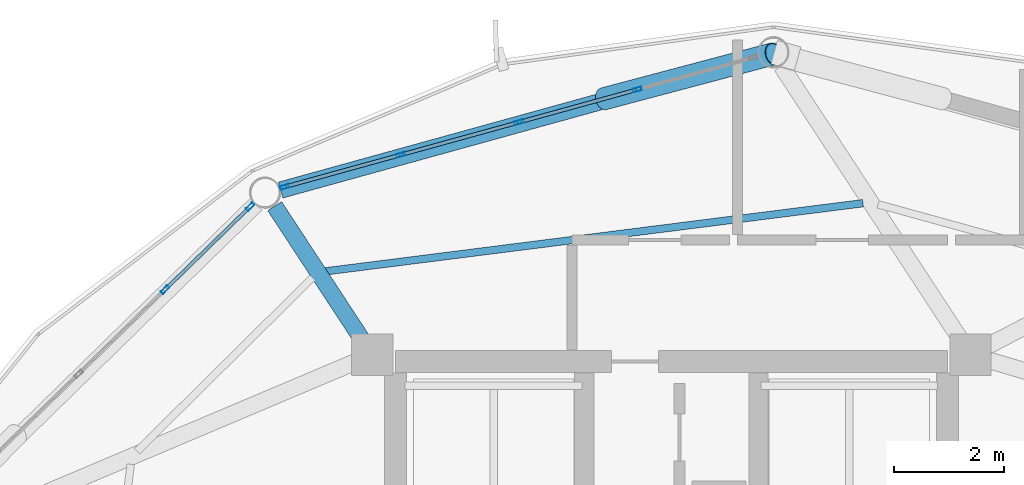
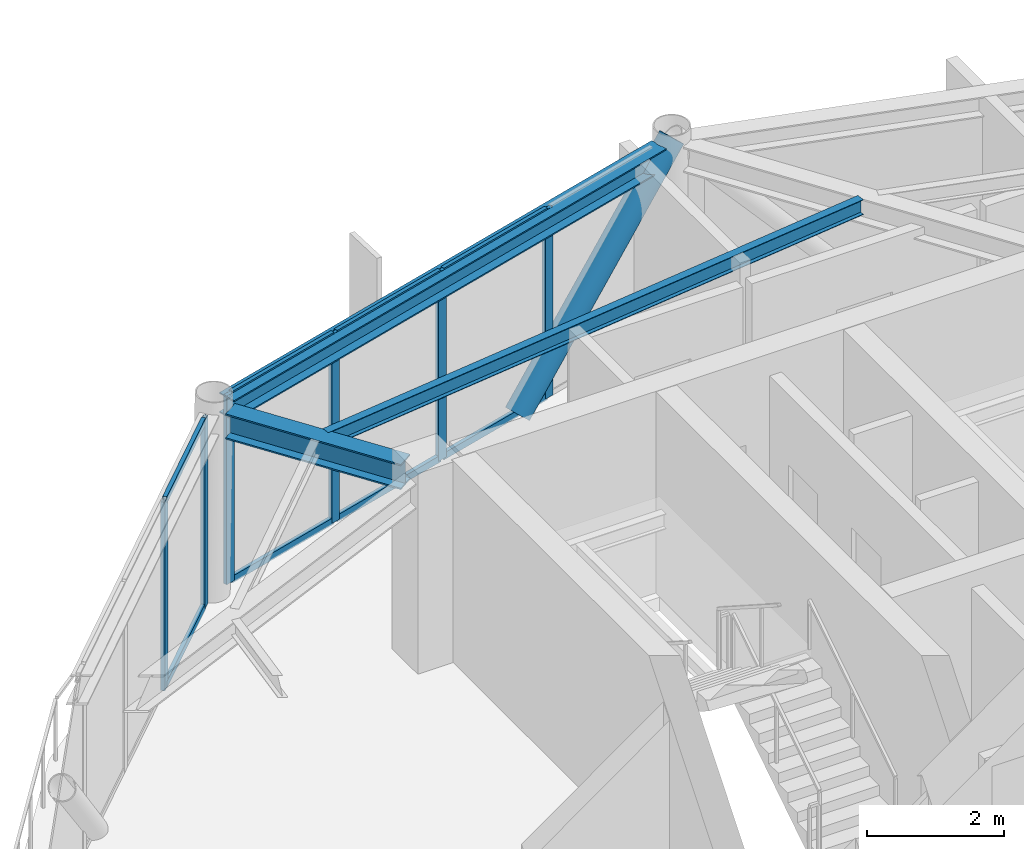
# One storey, part 18 of 27: 15 members, 3 beams, 2 elements without a shape of their own.
"""IFC4 building model written with IfcOpenShell, lengths in metres."""

from ifc_helpers import new_model, si_unit, direction, frame, origin, origin_2d, place, context, subcontext, project, spatial, hollow_rectangle, hollow_circle, i_section, extrude, material, layer, layer_set, material_profile, profile_set, type_object, element, aggregate, save


model = new_model("IFC4")

# Units and contexts
model_context = context("Model", 3, precision=1e-05, world=origin(), true_north=direction((0.0, 1.0)))
body_context = subcontext(model_context, "Body", "Model", "MODEL_VIEW")
ifc_project = project(units=[si_unit("LENGTHUNIT", "METRE"), si_unit("AREAUNIT", "SQUARE_METRE"), si_unit("VOLUMEUNIT", "CUBIC_METRE"), si_unit("PLANEANGLEUNIT", "RADIAN"), si_unit("MASSUNIT", "GRAM", prefix="KILO")], contexts=[model_context])

# Site, building, storey
site_placement = place(None, origin())
site = spatial("IfcSite", under=ifc_project, at=site_placement, CompositionType="ELEMENT")
building_placement = place(site_placement, origin())
building = spatial("IfcBuilding", under=site, at=building_placement, Name="Varnakorn Sky Granary", CompositionType="ELEMENT")
storey_placement = place(building_placement, frame((0.0, 0.0, 245.39990234375)))
storey = spatial("IfcBuildingStorey", under=building, at=storey_placement, Name="L62", CompositionType="ELEMENT", Elevation=245.39990234375)

# Beams
ifc_material_1 = material(Name="Steel S355JR", Category="steel")
ifc_material_profile_1 = material_profile(ifc_material_1, i_section(OverallWidth=0.300048828125, OverallDepth=0.449951171875, WebThickness=0.013916015625, FlangeThickness=0.02587890625, at=origin_2d()), Name="HE 450 B")
ifc_profile_set_1 = profile_set([ifc_material_profile_1], Name="Steel S355JR")
beam_type_1 = type_object("IfcBeamType", Name="BM-RAD-Z5", PredefinedType="BEAM", material=ifc_profile_set_1)
beam_1_placement = place(storey_placement, frame((-2.614501953125, 12.9169921875, 3.135009765625), z_axis=(-0.548096145495, 0.836415336596, 0.0), x_axis=(-0.836415336596, -0.548096145495, 0.0)))
element("IfcBeam", 1, at=beam_1_placement, inside=storey, type_object=beam_type_1, Name="Radial Floor Girder RG05 L62", PredefinedType="BEAM", context=body_context, shape_type="SweptSolid", body=[
    extrude(i_section(OverallWidth=0.300048828125, OverallDepth=0.449951171875, WebThickness=0.013916015625, FlangeThickness=0.02587890625, at=origin_2d()), origin(), (0.0, 0.0, 1.0), 2.865478515625),
])
ifc_material_profile_2 = material_profile(ifc_material_1, i_section(OverallWidth=0.135009765625, OverallDepth=0.27001953125, WebThickness=0.006591796875, FlangeThickness=0.01025390625, at=origin_2d()), Name="IPE 270")
ifc_profile_set_2 = profile_set([ifc_material_profile_2], Name="Steel S355JR")
beam_type_2 = type_object("IfcBeamType", Name="BM-SEC-Z5", PredefinedType="BEAM", material=ifc_profile_set_2)
beam_2_placement = place(storey_placement, frame((6.471435546875, 15.36669921875, 3.22509765625), z_axis=(-0.992058885512, -0.125774272712, 0.0), x_axis=(0.125774272712, -0.992058885512, 0.0)))
element("IfcBeam", 2, at=beam_2_placement, inside=storey, type_object=beam_type_2, Name="Secondary Floor Chord Beam MSB04 L62", PredefinedType="BEAM", context=body_context, shape_type="SweptSolid", body=[
    extrude(i_section(OverallWidth=0.135009765625, OverallDepth=0.27001953125, WebThickness=0.006591796875, FlangeThickness=0.01025390625, at=origin_2d()), origin(), (0.0, 0.0, 1.0), 9.810302734375),
])
ifc_material_profile_3 = material_profile(ifc_material_1, i_section(OverallWidth=0.300048828125, OverallDepth=0.360107421875, WebThickness=0.012451171875, FlangeThickness=0.0224609375, at=origin_2d()), Name="HE 360 B")
ifc_profile_set_3 = profile_set([ifc_material_profile_3], Name="Steel S355JR")
beam_type_3 = type_object("IfcBeamType", Name="BM-SPD-Z5", PredefinedType="SPANDREL", material=ifc_profile_set_3)
beam_3_placement = place(storey_placement, frame((4.59521484375, 18.00244140625, 3.18017578125), z_axis=(-0.963839156231, -0.266484672947, 0.0), x_axis=(0.266484672947, -0.963839156231, 0.0)))
element("IfcBeam", 3, at=beam_3_placement, inside=storey, type_object=beam_type_3, Name="Perimeter Spandrel Ring Beam RB04 L62", PredefinedType="SPANDREL", context=body_context, shape_type="SweptSolid", body=[
    extrude(i_section(OverallWidth=0.300048828125, OverallDepth=0.360107421875, WebThickness=0.012451171875, FlangeThickness=0.0224609375, at=origin_2d()), origin(), (0.0, 0.0, 1.0), 8.99560546875),
])

# Curtain wall, members
ifc_material_2 = material(Name="Anodised Bronze Aluminium Alloy 6063-T6", Category="aluminium")
ifc_layer = layer(ifc_material_2, 0.159912109375, Name="Anodised Bronze Aluminium Alloy 6063-T6")
ifc_layer_set = layer_set([ifc_layer], Name="Anodised Bronze Aluminium Alloy 6063-T6")
curtain_wall_type = type_object("IfcCurtainWallType", Name="CW-OFF-1", PredefinedType="USERDEFINED", material=ifc_layer_set)
curtain_wall_1_placement = place(storey_placement, origin())
curtain_wall_1 = element("IfcCurtainWall", 4, at=curtain_wall_1_placement, inside=storey, type_object=curtain_wall_type, Name="Unitised Curtain Wall CW6 CW-L62-B04", ObjectType="CURTAIN WALL", PredefinedType="USERDEFINED")
ifc_material_profile_4 = material_profile(ifc_material_2, hollow_rectangle(XDim=0.06494140625, YDim=0.159912109375, WallThickness=0.00341796875, at=origin_2d()), Name="ALU MULL 65x160")
ifc_profile_set_4 = profile_set([ifc_material_profile_4], Name="Anodised Bronze Aluminium Alloy 6063-T6")
member_type_1 = type_object("IfcMemberType", Name="CW-OFF-1-MULL", PredefinedType="MULLION", material=ifc_profile_set_4)
member_1_placement = place(storey_placement, frame((-4.00537109375, 15.662353515625, 0.0), z_axis=(0.0, 0.0, 1.0), x_axis=(-0.266021744228, 0.963967028273, 0.0)))
member_1 = element("IfcMember", 5, at=member_1_placement, type_object=member_type_1, Name="CW6 mullion 1", PredefinedType="MULLION", context=body_context, shape_type="SweptSolid", body=[
    extrude(hollow_rectangle(XDim=0.06494140625, YDim=0.159912109375, WallThickness=0.00341796875, at=origin_2d()), origin(), (0.0, 0.0, 1.0), 3.360107421875),
])
member_2_placement = place(storey_placement, frame((-1.896728515625, 16.244140625, 0.0), z_axis=(0.0, 0.0, 1.0), x_axis=(-0.266021744228, 0.963967028273, 0.0)))
member_2 = element("IfcMember", 6, at=member_2_placement, type_object=member_type_1, Name="CW6 mullion 2", PredefinedType="MULLION", context=body_context, shape_type="SweptSolid", body=[
    extrude(hollow_rectangle(XDim=0.06494140625, YDim=0.159912109375, WallThickness=0.00341796875, at=origin_2d()), origin(), (0.0, 0.0, 1.0), 3.360107421875),
])
member_3_placement = place(storey_placement, frame((0.242919921875, 16.834716796875, 0.0), z_axis=(0.0, 0.0, 1.0), x_axis=(-0.266021744228, 0.963967028273, 0.0)))
member_3 = element("IfcMember", 7, at=member_3_placement, type_object=member_type_1, Name="CW6 mullion 3", PredefinedType="MULLION", context=body_context, shape_type="SweptSolid", body=[
    extrude(hollow_rectangle(XDim=0.06494140625, YDim=0.159912109375, WallThickness=0.00341796875, at=origin_2d()), origin(), (0.0, 0.0, 1.0), 3.360107421875),
])
member_4_placement = place(storey_placement, frame((2.3828125, 17.42529296875, 0.0), z_axis=(0.0, 0.0, 1.0), x_axis=(-0.266021744228, 0.963967028273, 0.0)))
member_4 = element("IfcMember", 8, at=member_4_placement, type_object=member_type_1, Name="CW6 mullion 4", PredefinedType="MULLION", context=body_context, shape_type="SweptSolid", body=[
    extrude(hollow_rectangle(XDim=0.06494140625, YDim=0.159912109375, WallThickness=0.00341796875, at=origin_2d()), origin(), (0.0, 0.0, 1.0), 3.360107421875),
])

curtain_wall_2_placement = place(storey_placement, origin())
curtain_wall_2 = element("IfcCurtainWall", 9, at=curtain_wall_2_placement, inside=storey, type_object=curtain_wall_type, Name="Unitised Curtain Wall CW6 CW-L62-B05", ObjectType="CURTAIN WALL", PredefinedType="USERDEFINED")
member_5_placement = place(storey_placement, frame((-6.171875, 13.80029296875, 0.0), z_axis=(0.0, 0.0, 1.0), x_axis=(-0.698180615076, 0.715921663823, 0.0)))
member_5 = element("IfcMember", 10, at=member_5_placement, type_object=member_type_1, Name="CW6 mullion 4", PredefinedType="MULLION", context=body_context, shape_type="SweptSolid", body=[
    extrude(hollow_rectangle(XDim=0.06494140625, YDim=0.159912109375, WallThickness=0.00341796875, at=origin_2d()), origin(), (0.0, 0.0, 1.0), 3.360107421875),
])
member_6_placement = place(storey_placement, frame((-4.63037109375, 15.3037109375, 0.0), z_axis=(0.0, 0.0, 1.0), x_axis=(-0.698180615076, 0.715921663823, 0.0)))
member_6 = element("IfcMember", 11, at=member_6_placement, type_object=member_type_1, Name="CW6 mullion 5", PredefinedType="MULLION", context=body_context, shape_type="SweptSolid", body=[
    extrude(hollow_rectangle(XDim=0.06494140625, YDim=0.159912109375, WallThickness=0.00341796875, at=origin_2d()), origin(), (0.0, 0.0, 1.0), 3.360107421875),
])

# Member
ifc_material_profile_5 = material_profile(ifc_material_2, hollow_rectangle(XDim=0.06494140625, YDim=0.1201171875, WallThickness=0.00341796875, at=origin_2d()), Name="ALU TRAN 65x120")
ifc_profile_set_5 = profile_set([ifc_material_profile_5], Name="Anodised Bronze Aluminium Alloy 6063-T6")
member_type_2 = type_object("IfcMemberType", Name="CW-OFF-1-TRAN", PredefinedType="USERDEFINED", material=ifc_profile_set_5)
member_7_placement = place(storey_placement, frame((-3.97412109375, 15.6708984375, 0.03271484375), z_axis=(0.963954985347, 0.266065379607, 0.0), x_axis=(-0.266065379607, 0.963954985347, 0.0)))
member_7 = element("IfcMember", 12, at=member_7_placement, type_object=member_type_2, Name="CW6 transom 1.1", ObjectType="TRANSOM", PredefinedType="USERDEFINED", context=body_context, shape_type="SweptSolid", body=[
    extrude(hollow_rectangle(XDim=0.06494140625, YDim=0.1201171875, WallThickness=0.00341796875, at=origin_2d()), origin(), (0.0, 0.0, 1.0), 2.122314453125),
])

member_8_placement = place(storey_placement, frame((-3.97412109375, 15.6708984375, 3.32763671875), z_axis=(0.963954985347, 0.266065379607, 0.0), x_axis=(-0.266065379607, 0.963954985347, 0.0)))
member_8 = element("IfcMember", 13, at=member_8_placement, type_object=member_type_2, Name="CW6 transom 1.2", ObjectType="TRANSOM", PredefinedType="USERDEFINED", context=body_context, shape_type="SweptSolid", body=[
    extrude(hollow_rectangle(XDim=0.06494140625, YDim=0.1201171875, WallThickness=0.00341796875, at=origin_2d()), origin(), (0.0, 0.0, 1.0), 2.122314453125),
])

member_9_placement = place(storey_placement, frame((-1.865478515625, 16.252685546875, 0.03271484375), z_axis=(0.963964569293, 0.266030654525, 0.0), x_axis=(-0.266030654525, 0.963964569293, 0.0)))
member_9 = element("IfcMember", 14, at=member_9_placement, type_object=member_type_2, Name="CW6 transom 2.1", ObjectType="TRANSOM", PredefinedType="USERDEFINED", context=body_context, shape_type="SweptSolid", body=[
    extrude(hollow_rectangle(XDim=0.06494140625, YDim=0.1201171875, WallThickness=0.00341796875, at=origin_2d()), origin(), (0.0, 0.0, 1.0), 2.15478515625),
])

member_10_placement = place(storey_placement, frame((-1.865478515625, 16.252685546875, 3.32763671875), z_axis=(0.963964569293, 0.266030654525, 0.0), x_axis=(-0.266030654525, 0.963964569293, 0.0)))
member_10 = element("IfcMember", 15, at=member_10_placement, type_object=member_type_2, Name="CW6 transom 2.2", ObjectType="TRANSOM", PredefinedType="USERDEFINED", context=body_context, shape_type="SweptSolid", body=[
    extrude(hollow_rectangle(XDim=0.06494140625, YDim=0.1201171875, WallThickness=0.00341796875, at=origin_2d()), origin(), (0.0, 0.0, 1.0), 2.15478515625),
])

member_11_placement = place(storey_placement, frame((0.2744140625, 16.84326171875, 0.03271484375), z_axis=(0.963964569293, 0.266030654525, 0.0), x_axis=(-0.266030654525, 0.963964569293, 0.0)))
member_11 = element("IfcMember", 16, at=member_11_placement, type_object=member_type_2, Name="CW6 transom 3.1", ObjectType="TRANSOM", PredefinedType="USERDEFINED", context=body_context, shape_type="SweptSolid", body=[
    extrude(hollow_rectangle(XDim=0.06494140625, YDim=0.1201171875, WallThickness=0.00341796875, at=origin_2d()), origin(), (0.0, 0.0, 1.0), 2.15478515625),
])

member_12_placement = place(storey_placement, frame((0.2744140625, 16.84326171875, 3.32763671875), z_axis=(0.963964569293, 0.266030654525, 0.0), x_axis=(-0.266030654525, 0.963964569293, 0.0)))
member_12 = element("IfcMember", 17, at=member_12_placement, type_object=member_type_2, Name="CW6 transom 3.2", ObjectType="TRANSOM", PredefinedType="USERDEFINED", context=body_context, shape_type="SweptSolid", body=[
    extrude(hollow_rectangle(XDim=0.06494140625, YDim=0.1201171875, WallThickness=0.00341796875, at=origin_2d()), origin(), (0.0, 0.0, 1.0), 2.15478515625),
])

aggregate(curtain_wall_1, [member_1, member_2, member_3, member_4, member_7, member_8, member_9, member_10, member_11, member_12])

member_13_placement = place(storey_placement, frame((-6.1484375, 13.822998046875, 0.03271484375), z_axis=(0.715878866962, 0.698224496733, 0.0), x_axis=(-0.698224496733, 0.715878866962, 0.0)))
member_13 = element("IfcMember", 18, at=member_13_placement, type_object=member_type_2, Name="CW6 transom 4.1", ObjectType="TRANSOM", PredefinedType="USERDEFINED", context=body_context, shape_type="SweptSolid", body=[
    extrude(hollow_rectangle(XDim=0.06494140625, YDim=0.1201171875, WallThickness=0.00341796875, at=origin_2d()), origin(), (0.0, 0.0, 1.0), 2.088134765625),
])

member_14_placement = place(storey_placement, frame((-6.1484375, 13.822998046875, 3.32763671875), z_axis=(0.715878866962, 0.698224496733, 0.0), x_axis=(-0.698224496733, 0.715878866962, 0.0)))
member_14 = element("IfcMember", 19, at=member_14_placement, type_object=member_type_2, Name="CW6 transom 4.2", ObjectType="TRANSOM", PredefinedType="USERDEFINED", context=body_context, shape_type="SweptSolid", body=[
    extrude(hollow_rectangle(XDim=0.06494140625, YDim=0.1201171875, WallThickness=0.00341796875, at=origin_2d()), origin(), (0.0, 0.0, 1.0), 2.088134765625),
])

aggregate(curtain_wall_2, [member_5, member_6, member_13, member_14])

ifc_material_3 = material(Name="Steel S460M", Category="steel")
ifc_material_profile_6 = material_profile(ifc_material_3, hollow_circle(Radius=0.203125, WallThickness=0.01611328125, at=origin_2d()), Name="CHS 406.4x16")
ifc_profile_set_6 = profile_set([ifc_material_profile_6], Name="Steel S460M")
member_type_3 = type_object("IfcMemberType", Name="MB-DIAG-T4", PredefinedType="BRACE", material=ifc_profile_set_6)
member_15_placement = place(storey_placement, frame((1.77880859375, 17.25830078125, 0.0), z_axis=(0.66412079342, 0.176166223183, 0.726573488063), x_axis=(-0.256395145729, 0.966572050727, 0.0)))
element("IfcMember", 20, at=member_15_placement, inside=storey, type_object=member_type_3, Name="Perimeter CHS Diagrid Brace DG04 L62", PredefinedType="BRACE", context=body_context, shape_type="SweptSolid", body=[
    extrude(hollow_circle(Radius=0.203125, WallThickness=0.01611328125, at=origin_2d()), origin(), (0.0, 0.0, 1.0), 4.62451171875),
])

save(model, "model.ifc")
